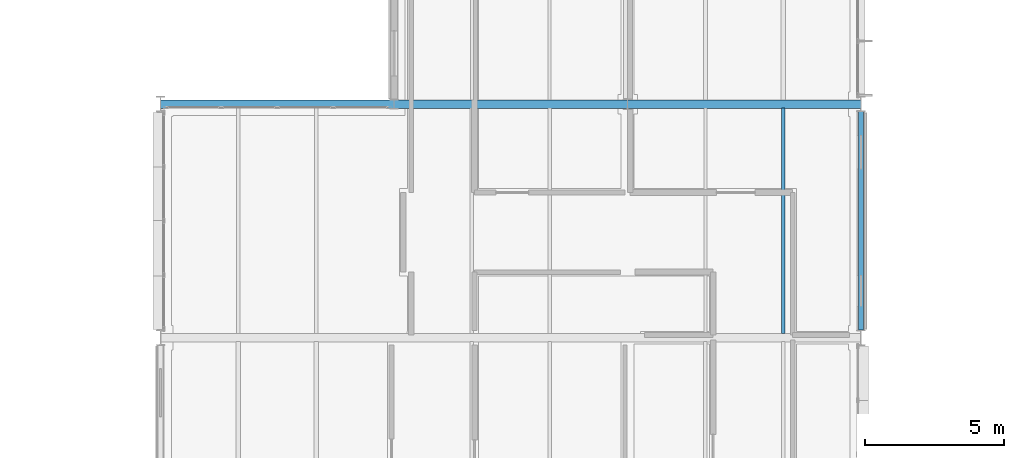
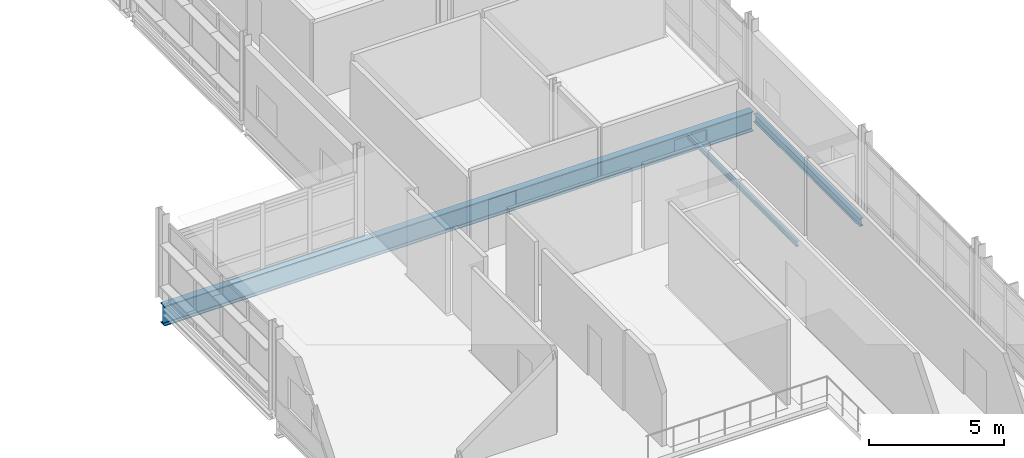
# One storey, part 60 of 131: 3 beams.
"""IFC4 building model written with IfcOpenShell, lengths in metres."""

from ifc_helpers import new_model, si_unit, direction, frame, origin, origin_2d, place, context, subcontext, project, spatial, i_section, extrude, material, material_profile, profile_set, type_object, element, save


model = new_model("IFC4")

# Units and contexts
model_context = context("Model", 3, precision=1e-05, world=origin(), true_north=direction((0.0, 1.0)))
body_context = subcontext(model_context, "Body", "Model", "MODEL_VIEW")
ifc_project = project(units=[si_unit("LENGTHUNIT", "METRE"), si_unit("AREAUNIT", "SQUARE_METRE"), si_unit("VOLUMEUNIT", "CUBIC_METRE"), si_unit("PLANEANGLEUNIT", "RADIAN"), si_unit("MASSUNIT", "GRAM", prefix="KILO")], contexts=[model_context])

# Site, building, storey
site_placement = place(None, origin())
site = spatial("IfcSite", under=ifc_project, at=site_placement, CompositionType="ELEMENT")
building_placement = place(site_placement, origin())
building = spatial("IfcBuilding", under=site, at=building_placement, Name="Mersafa Astral City Hall", CompositionType="ELEMENT")
storey_placement = place(building_placement, frame((0.0, 0.0, 13.949951171875)))
storey = spatial("IfcBuildingStorey", under=building, at=storey_placement, Name="L03", CompositionType="ELEMENT", Elevation=13.949951171875)

# Beams
ifc_material = material(Name="Steel S355", Category="steel")
ifc_material_profile_1 = material_profile(ifc_material, i_section(OverallWidth=0.300048828125, OverallDepth=0.89990234375, WebThickness=0.0185546875, FlangeThickness=0.034912109375, FilletRadius=0.030029296875, at=origin_2d()), Name="HEB 900")
ifc_profile_set_1 = profile_set([ifc_material_profile_1], Name="Steel S355")
beam_type_1 = type_object("IfcBeamType", Name="STR-BM-HEB900", PredefinedType="BEAM", material=ifc_profile_set_1)
beam_1_placement = place(storey_placement, frame((92.403076171875, 92.39990234375, -0.64990234375), z_axis=(1.0, 0.0, 0.0), x_axis=(0.0, 1.0, 0.0)))
element("IfcBeam", 1, at=beam_1_placement, inside=storey, type_object=beam_type_1, Name="L03 Public Service Hall clear-span portal girder 11", PredefinedType="BEAM", context=body_context, shape_type="SweptSolid", body=[
    extrude(i_section(OverallWidth=0.300048828125, OverallDepth=0.89990234375, WebThickness=0.0185546875, FlangeThickness=0.034912109375, FilletRadius=0.030029296875, at=origin_2d()), origin(), (0.0, 0.0, 1.0), 25.19384765625),
])
ifc_material_profile_2 = material_profile(ifc_material, i_section(OverallWidth=0.110107421875, OverallDepth=0.219970703125, WebThickness=0.005859375, FlangeThickness=0.00927734375, FilletRadius=0.011962890625, at=origin_2d()), Name="IPE 220")
ifc_profile_set_2 = profile_set([ifc_material_profile_2], Name="Steel S355")
beam_type_2 = type_object("IfcBeamType", Name="STR-BM-JOIST-IPE220", PredefinedType="JOIST", material=ifc_profile_set_2)
beam_2_placement = place(storey_placement, frame((114.800048828125, 84.14501953125, -0.31005859375), z_axis=(0.0, 1.0, 0.0), x_axis=(-1.0, 0.0, 0.0)))
element("IfcBeam", 2, at=beam_2_placement, inside=storey, type_object=beam_type_2, Name="L03 Composite secondary floor joist 621", PredefinedType="JOIST", context=body_context, shape_type="SweptSolid", body=[
    extrude(i_section(OverallWidth=0.110107421875, OverallDepth=0.219970703125, WebThickness=0.005859375, FlangeThickness=0.00927734375, FilletRadius=0.011962890625, at=origin_2d()), origin(), (0.0, 0.0, 1.0), 8.10986328125),
])
ifc_material_profile_3 = material_profile(ifc_material, i_section(OverallWidth=0.169921875, OverallDepth=0.360107421875, WebThickness=0.008056640625, FlangeThickness=0.0126953125, FilletRadius=0.01806640625, at=origin_2d()), Name="IPE 360")
ifc_profile_set_3 = profile_set([ifc_material_profile_3], Name="Steel S355")
beam_type_3 = type_object("IfcBeamType", Name="STR-BM-SPANDREL-IPE360", PredefinedType="SPANDREL", material=ifc_profile_set_3)
beam_3_placement = place(storey_placement, frame((117.60009765625, 84.27001953125, -0.3798828125), z_axis=(0.0, 1.0, 0.0), x_axis=(-1.0, 0.0, 0.0)))
element("IfcBeam", 3, at=beam_3_placement, inside=storey, type_object=beam_type_3, Name="L03 Primary girder Y 14-10", PredefinedType="SPANDREL", context=body_context, shape_type="SweptSolid", body=[
    extrude(i_section(OverallWidth=0.169921875, OverallDepth=0.360107421875, WebThickness=0.008056640625, FlangeThickness=0.0126953125, FilletRadius=0.01806640625, at=origin_2d()), origin(), (0.0, 0.0, 1.0), 7.85986328125),
])

save(model, "model.ifc")
